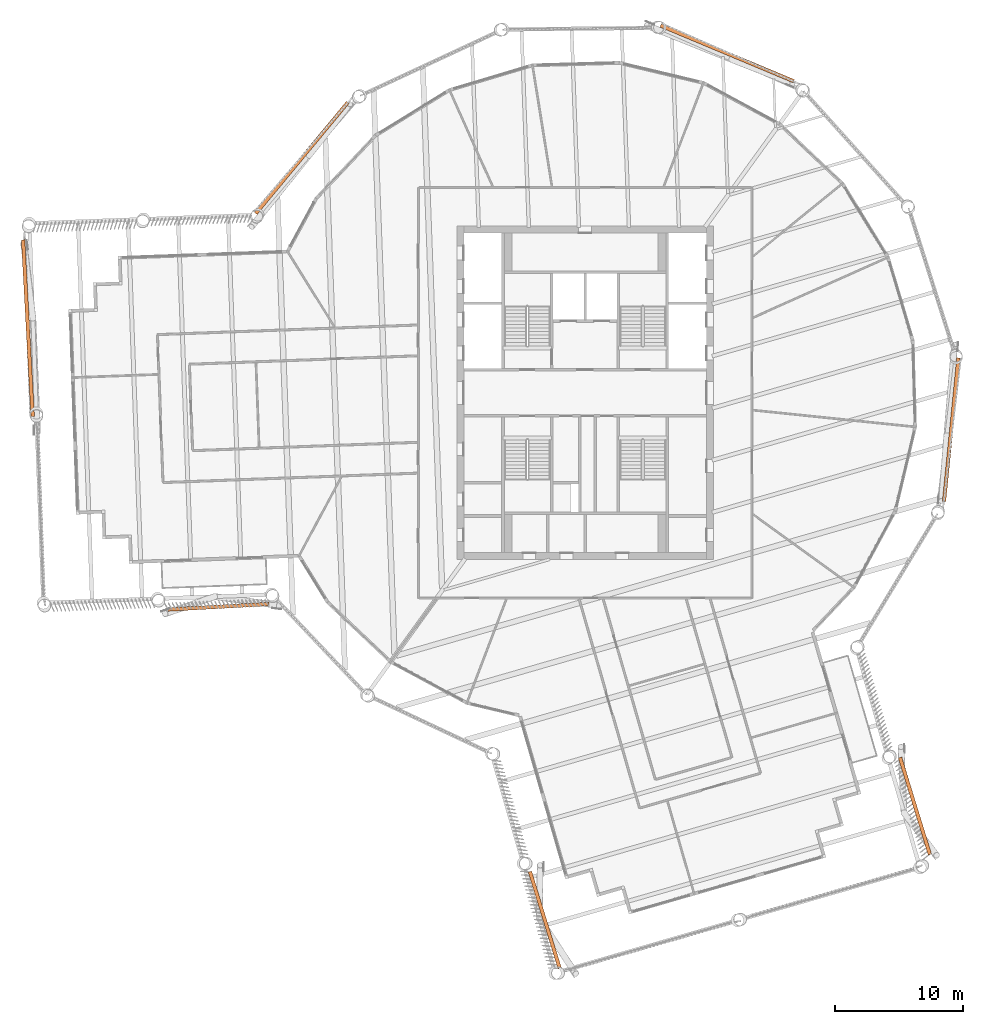
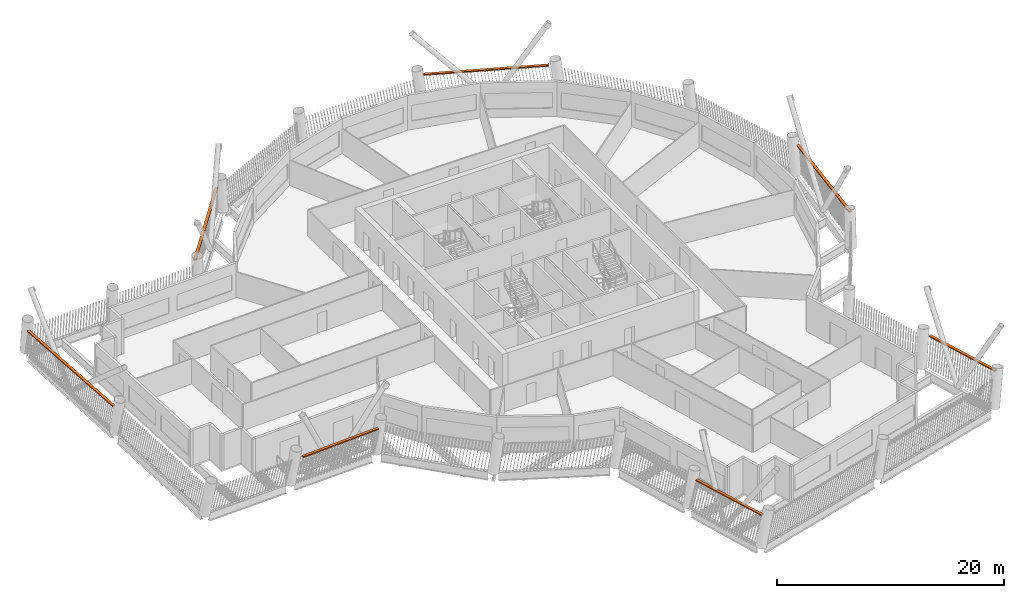
# One storey, part 20 of 20: 7 proxies.
"""IFC4 building model written with IfcOpenShell, lengths in metres."""

from ifc_helpers import new_model, si_unit, direction, frame, origin, origin_2d, place, context, subcontext, project, spatial, rectangle, extrude, material, type_object, element, save


model = new_model("IFC4")

# Units and contexts
model_context = context("Model", 3, precision=1e-05, world=origin(), true_north=direction((0.0, 1.0)))
body_context = subcontext(model_context, "Body", "Model", "MODEL_VIEW")
ifc_project = project(units=[si_unit("LENGTHUNIT", "METRE"), si_unit("AREAUNIT", "SQUARE_METRE"), si_unit("VOLUMEUNIT", "CUBIC_METRE"), si_unit("PLANEANGLEUNIT", "RADIAN"), si_unit("MASSUNIT", "GRAM", prefix="KILO")], contexts=[model_context])

# Site, building, storey
site_placement = place(None, origin())
site = spatial("IfcSite", under=ifc_project, at=site_placement, CompositionType="ELEMENT")
building_placement = place(site_placement, origin())
building = spatial("IfcBuilding", under=site, at=building_placement, Name="Tarsis Ring Headquarters", CompositionType="ELEMENT")
storey_placement = place(building_placement, frame((0.0, 0.0, 294.199951171875)))
storey = spatial("IfcBuildingStorey", under=building, at=storey_placement, Name="L69", CompositionType="ELEMENT", Elevation=294.199951171875)

# Proxies
ifc_material = material(Name="Structural steel S355", Category="steel")
building_element_proxy_type = type_object("IfcBuildingElementProxyType", Name="Screen bracket plate", PredefinedType="USERDEFINED", material=ifc_material)
for number, where, z_axis, x_axis, name in (
    (1, (-3.13720703125, -41.09326171875, 2.9677734375), (0.0, 0.0, 1.0), (0.294373975373, -0.955690306858, 0.0), "Screen bracket L69-02"),
    (2, (25.715087890625, -32.2060546875, 2.9677734375), (0.0, 0.0, 1.0), (-0.294373942013, 0.955690317134, 0.0), "Screen bracket L69-05"),
):
    element("IfcBuildingElementProxy", number, at=place(storey_placement, frame(where, z_axis=z_axis, x_axis=x_axis)), inside=storey, type_object=building_element_proxy_type, Name=name, ObjectType="Bracket", PredefinedType="USERDEFINED", context=body_context, shape_type="SweptSolid", body=[
        extrude(rectangle(XDim=7.90234375, YDim=0.280029296875, at=origin_2d()), origin(), (0.0, 0.0, 1.0), 0.1201171875),
    ])
for number, where, z_axis, x_axis, name in (
    (3, (28.546875, -2.86767578125, 2.9677734375), (0.0, 0.0, 1.0), (0.099948953474, 0.994992566153, 0.0), "Screen bracket L69-08"),
    (4, (11.075927734375, 26.46630859375, 2.9677734375), (0.0, 0.0, 1.0), (-0.922479117601, 0.386046988837, 0.0), "Screen bracket L69-11"),
    (5, (-22.08056640625, 18.3193359375, 2.9677734375), (0.0, 0.0, 1.0), (-0.63851636057, -0.769608249231, 0.0), "Screen bracket L69-14"),
):
    element("IfcBuildingElementProxy", number, at=place(storey_placement, frame(where, z_axis=z_axis, x_axis=x_axis)), inside=storey, type_object=building_element_proxy_type, Name=name, ObjectType="Bracket", PredefinedType="USERDEFINED", context=body_context, shape_type="SweptSolid", body=[
        extrude(rectangle(XDim=11.248779296875, YDim=0.280029296875, at=origin_2d()), origin(), (0.0, 0.0, 1.0), 0.1201171875),
    ])
proxy_1_placement = place(storey_placement, frame((-43.433837890625, 5.04345703125, 2.9677734375), z_axis=(0.0, 0.0, 1.0), x_axis=(0.054427364735, -0.998517732425, 0.0)))
element("IfcBuildingElementProxy", 6, at=proxy_1_placement, inside=storey, type_object=building_element_proxy_type, Name="Screen bracket L69-17", ObjectType="Bracket", PredefinedType="USERDEFINED", context=body_context, shape_type="SweptSolid", body=[
    extrude(rectangle(XDim=13.800048828125, YDim=0.280029296875, at=origin_2d()), origin(), (0.0, 0.0, 1.0), 0.1201171875),
])
proxy_2_placement = place(storey_placement, frame((-28.581298828125, -16.67529296875, 2.9677734375), z_axis=(0.0, 0.0, 1.0), x_axis=(0.998517734325, 0.05442732988, 0.0)))
element("IfcBuildingElementProxy", 7, at=proxy_2_placement, inside=storey, type_object=building_element_proxy_type, Name="Screen bracket L69-20", ObjectType="Bracket", PredefinedType="USERDEFINED", context=body_context, shape_type="SweptSolid", body=[
    extrude(rectangle(XDim=7.90234375, YDim=0.280029296875, at=origin_2d()), origin(), (0.0, 0.0, 1.0), 0.1201171875),
])

save(model, "model.ifc")
